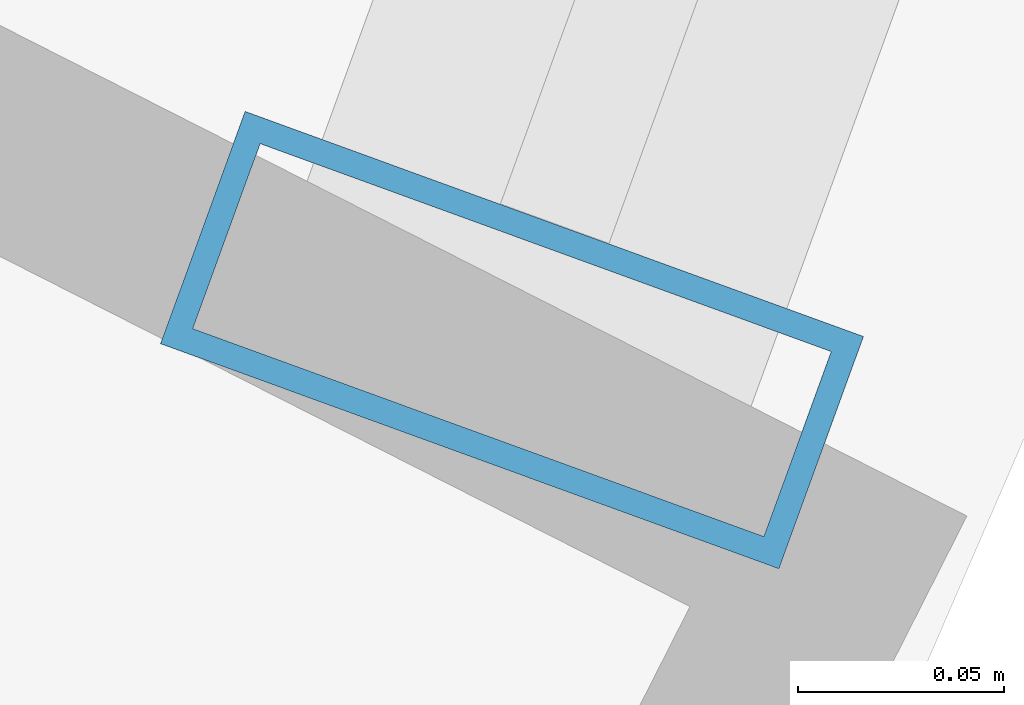
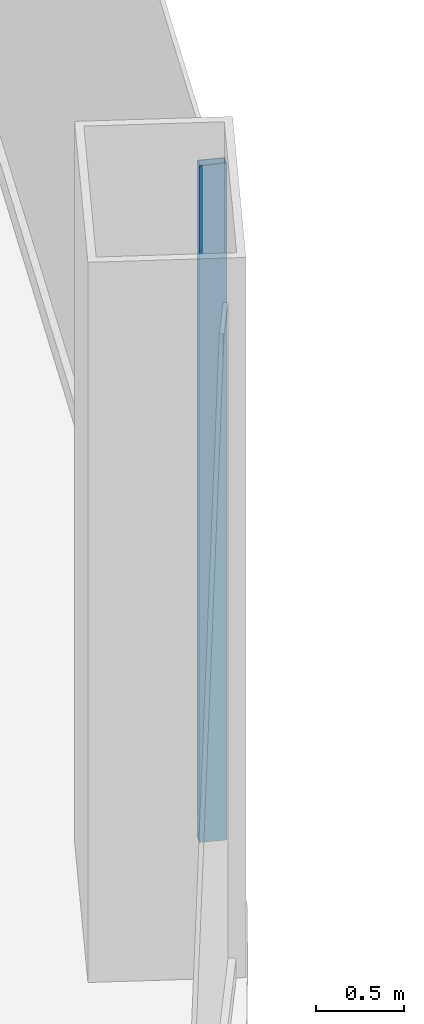
# One storey, part 15 of 47: 1 member, 1 element without a shape of its own.
"""IFC4 building model written with IfcOpenShell, lengths in metres."""

from ifc_helpers import new_model, si_unit, direction, frame, origin, origin_2d, place, context, subcontext, project, spatial, hollow_rectangle, extrude, material, layer, layer_set, material_profile, profile_set, type_object, element, aggregate, save


model = new_model("IFC4")

# Units and contexts
model_context = context("Model", 3, precision=1e-05, world=origin(), true_north=direction((0.0, 1.0)))
body_context = subcontext(model_context, "Body", "Model", "MODEL_VIEW")
ifc_project = project(units=[si_unit("LENGTHUNIT", "METRE"), si_unit("AREAUNIT", "SQUARE_METRE"), si_unit("VOLUMEUNIT", "CUBIC_METRE"), si_unit("PLANEANGLEUNIT", "RADIAN"), si_unit("MASSUNIT", "GRAM", prefix="KILO")], contexts=[model_context])

# Site, building, storey
site_placement = place(None, origin())
site = spatial("IfcSite", under=ifc_project, at=site_placement, CompositionType="ELEMENT")
building_placement = place(site_placement, origin())
building = spatial("IfcBuilding", under=site, at=building_placement, Name="Nagisa Residences", CompositionType="ELEMENT")
storey_placement = place(building_placement, frame((0.0, 0.0, 17.0)))
storey = spatial("IfcBuildingStorey", under=building, at=storey_placement, Name="L03", CompositionType="ELEMENT", Elevation=17.0)

# Curtain wall, member
ifc_material_1 = material(Name="Stainless steel curtain wall system", Category="steel")
ifc_layer = layer(ifc_material_1, 0.159912109375)
ifc_layer_set = layer_set([ifc_layer], Name="CW6 CURTAIN WALL")
curtain_wall_type = type_object("IfcCurtainWallType", Name="CW6 CURTAIN WALL", PredefinedType="NOTDEFINED", material=ifc_layer_set)
curtain_wall_placement = place(storey_placement, origin())
curtain_wall = element("IfcCurtainWall", 1, at=curtain_wall_placement, inside=storey, type_object=curtain_wall_type, Name="cw:CW6:L03:44", PredefinedType="NOTDEFINED")
ifc_material_2 = material(Name="Stainless steel", Category="steel")
ifc_material_profile = material_profile(ifc_material_2, hollow_rectangle(XDim=0.159912109375, YDim=0.06005859375, WallThickness=0.006103515625, at=origin_2d()), Name="CW6 MULLION 160x60")
ifc_profile_set = profile_set([ifc_material_profile], Name="Stainless steel")
member_type = type_object("IfcMemberType", Name="CW6 MULLION 160x60", PredefinedType="MULLION", material=ifc_profile_set)
member_placement = place(storey_placement, frame((28.88916015625, -15.78662109375, 0.0), z_axis=(0.0, 0.0, 1.0), x_axis=(-0.939681861718, 0.342049702176, 0.0)))
member = element("IfcMember", 2, at=member_placement, type_object=member_type, Name="CW6 mullion", PredefinedType="MULLION", context=body_context, shape_type="SweptSolid", body=[
    extrude(hollow_rectangle(XDim=0.159912109375, YDim=0.06005859375, WallThickness=0.006103515625, at=origin_2d()), origin(), (0.0, 0.0, 1.0), 4.699951171875),
])
aggregate(curtain_wall, [member])

save(model, "model.ifc")
